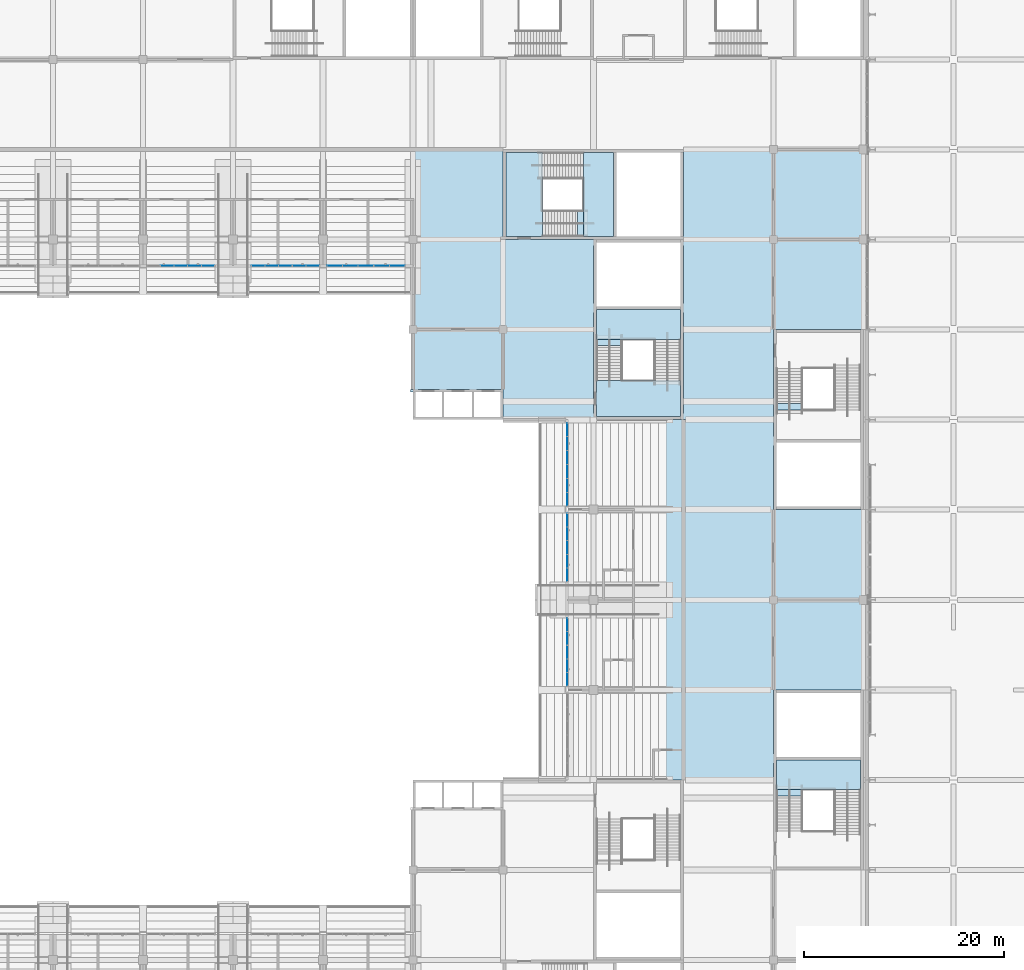
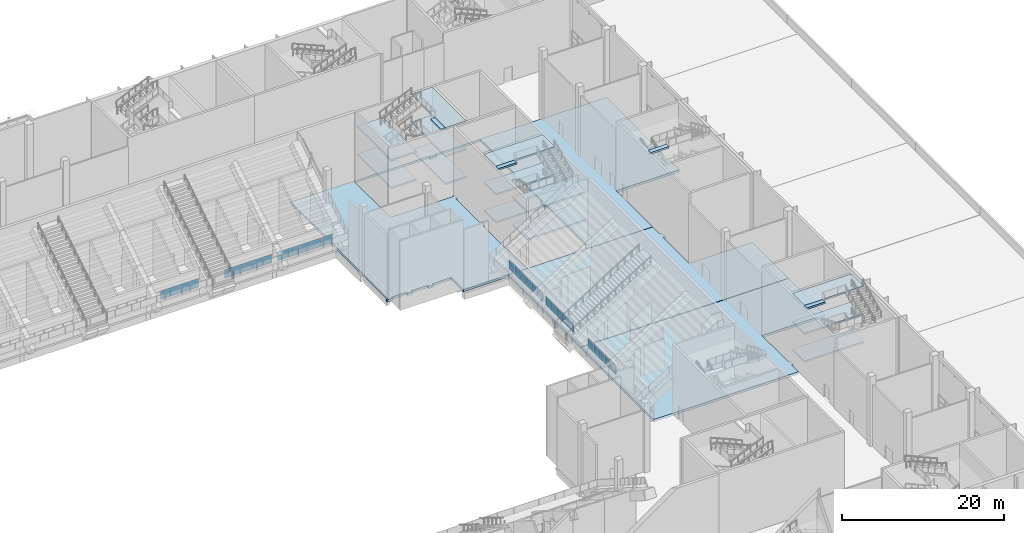
# One storey, part 75 of 182: 30 plates, 20 slabs, 10 elements without a shape of their own.
"""IFC4 building model written with IfcOpenShell, lengths in metres."""

from ifc_helpers import new_model, si_unit, direction, frame, origin, origin_2d, place, context, subcontext, project, spatial, polyline, rectangle, outline, extrude, material, layer, layer_set, type_object, element, aggregate, save


model = new_model("IFC4")

# Units and contexts
model_context = context("Model", 3, precision=1e-05, world=origin(), true_north=direction((0.0, 1.0)))
body_context = subcontext(model_context, "Body", "Model", "MODEL_VIEW")
ifc_project = project(units=[si_unit("LENGTHUNIT", "METRE"), si_unit("AREAUNIT", "SQUARE_METRE"), si_unit("VOLUMEUNIT", "CUBIC_METRE"), si_unit("PLANEANGLEUNIT", "RADIAN"), si_unit("MASSUNIT", "GRAM", prefix="KILO")], contexts=[model_context])

# Site, building, storey
site_placement = place(None, origin())
site = spatial("IfcSite", under=ifc_project, at=site_placement, CompositionType="ELEMENT")
building_placement = place(site_placement, origin())
building = spatial("IfcBuilding", under=site, at=building_placement, Name="Silverbay Arena", CompositionType="ELEMENT")
storey_placement = place(building_placement, frame((0.0, 0.0, 11.5)))
storey = spatial("IfcBuildingStorey", under=building, at=storey_placement, Name="L02", CompositionType="ELEMENT", Elevation=11.5)

# Curtain wall, plates
ifc_material_1 = material(Name="Fire-resisting glass", Category="glass")
curtain_wall_type_1 = type_object("IfcCurtainWallType", Name="Fire-resisting glazed screen EI 120 6850 x 1437", PredefinedType="NOTDEFINED", material=ifc_material_1)
curtain_wall_1_placement = place(storey_placement, origin())
curtain_wall_1 = element("IfcCurtainWall", 1, at=curtain_wall_1_placement, inside=storey, type_object=curtain_wall_type_1, Name="East suite front 2", PredefinedType="NOTDEFINED")
ifc_material_2 = material(Name="Laminated glass", Category="glass")
ifc_layer_1 = layer(ifc_material_2, 0.02392578125)
ifc_layer_set_1 = layer_set([ifc_layer_1], Name="Laminated glass")
plate_type = type_object("IfcPlateType", Name="Glass panel 24", PredefinedType="CURTAIN_PANEL", material=ifc_layer_set_1)
plate_1_placement = place(storey_placement, frame((177.39990234375, 73.050048828125, 1.150146484375), z_axis=(0.0, 0.0, 1.0), x_axis=(0.0, 1.0, 0.0)))
plate_1 = element("IfcPlate", 2, at=plate_1_placement, type_object=plate_type, Name="CW19 panel 1.1", PredefinedType="CURTAIN_PANEL", context=body_context, shape_type="SweptSolid", body=[
    extrude(rectangle(XDim=1.280029296875, YDim=0.02392578125, at=origin_2d()), origin(), (0.0, 0.0, 1.0), 1.3369140625),
])
plate_2_placement = place(storey_placement, frame((177.39990234375, 74.405029296875, 1.150146484375), z_axis=(0.0, 0.0, 1.0), x_axis=(0.0, 1.0, 0.0)))
plate_2 = element("IfcPlate", 3, at=plate_2_placement, type_object=plate_type, Name="CW19 panel 2.1", PredefinedType="CURTAIN_PANEL", context=body_context, shape_type="SweptSolid", body=[
    extrude(rectangle(XDim=1.31005859375, YDim=0.02392578125, at=origin_2d()), origin(), (0.0, 0.0, 1.0), 1.3369140625),
])
plate_3_placement = place(storey_placement, frame((177.39990234375, 75.77490234375, 1.150146484375), z_axis=(0.0, 0.0, 1.0), x_axis=(0.0, 1.0, 0.0)))
plate_3 = element("IfcPlate", 4, at=plate_3_placement, type_object=plate_type, Name="CW19 panel 3.1", PredefinedType="CURTAIN_PANEL", context=body_context, shape_type="SweptSolid", body=[
    extrude(rectangle(XDim=1.31005859375, YDim=0.02392578125, at=origin_2d()), origin(), (0.0, 0.0, 1.0), 1.3369140625),
])
plate_4_placement = place(storey_placement, frame((177.39990234375, 77.14501953125, 1.150146484375), z_axis=(0.0, 0.0, 1.0), x_axis=(0.0, 1.0, 0.0)))
plate_4 = element("IfcPlate", 5, at=plate_4_placement, type_object=plate_type, Name="CW19 panel 4.1", PredefinedType="CURTAIN_PANEL", context=body_context, shape_type="SweptSolid", body=[
    extrude(rectangle(XDim=1.31005859375, YDim=0.02392578125, at=origin_2d()), origin(), (0.0, 0.0, 1.0), 1.3369140625),
])
plate_5_placement = place(storey_placement, frame((177.39990234375, 78.5, 1.150146484375), z_axis=(0.0, 0.0, 1.0), x_axis=(0.0, 1.0, 0.0)))
plate_5 = element("IfcPlate", 6, at=plate_5_placement, type_object=plate_type, Name="CW19 panel 5.1", PredefinedType="CURTAIN_PANEL", context=body_context, shape_type="SweptSolid", body=[
    extrude(rectangle(XDim=1.280029296875, YDim=0.02392578125, at=origin_2d()), origin(), (0.0, 0.0, 1.0), 1.3369140625),
])
aggregate(curtain_wall_1, [plate_1, plate_2, plate_3, plate_4, plate_5])

curtain_wall_2_placement = place(storey_placement, origin())
curtain_wall_2 = element("IfcCurtainWall", 7, at=curtain_wall_2_placement, inside=storey, type_object=curtain_wall_type_1, Name="East suite front 3", PredefinedType="NOTDEFINED")
plate_6_placement = place(storey_placement, frame((177.39990234375, 83.5, 1.150146484375), z_axis=(0.0, 0.0, 1.0), x_axis=(0.0, 1.0, 0.0)))
plate_6 = element("IfcPlate", 8, at=plate_6_placement, type_object=plate_type, Name="CW19 panel 1.1", PredefinedType="CURTAIN_PANEL", context=body_context, shape_type="SweptSolid", body=[
    extrude(rectangle(XDim=1.280029296875, YDim=0.02392578125, at=origin_2d()), origin(), (0.0, 0.0, 1.0), 1.3369140625),
])
plate_7_placement = place(storey_placement, frame((177.39990234375, 84.85498046875, 1.150146484375), z_axis=(0.0, 0.0, 1.0), x_axis=(0.0, 1.0, 0.0)))
plate_7 = element("IfcPlate", 9, at=plate_7_placement, type_object=plate_type, Name="CW19 panel 2.1", PredefinedType="CURTAIN_PANEL", context=body_context, shape_type="SweptSolid", body=[
    extrude(rectangle(XDim=1.31005859375, YDim=0.02392578125, at=origin_2d()), origin(), (0.0, 0.0, 1.0), 1.3369140625),
])
plate_8_placement = place(storey_placement, frame((177.39990234375, 86.22509765625, 1.150146484375), z_axis=(0.0, 0.0, 1.0), x_axis=(0.0, 1.0, 0.0)))
plate_8 = element("IfcPlate", 10, at=plate_8_placement, type_object=plate_type, Name="CW19 panel 3.1", PredefinedType="CURTAIN_PANEL", context=body_context, shape_type="SweptSolid", body=[
    extrude(rectangle(XDim=1.31005859375, YDim=0.02392578125, at=origin_2d()), origin(), (0.0, 0.0, 1.0), 1.3369140625),
])
plate_9_placement = place(storey_placement, frame((177.39990234375, 87.594970703125, 1.150146484375), z_axis=(0.0, 0.0, 1.0), x_axis=(0.0, 1.0, 0.0)))
plate_9 = element("IfcPlate", 11, at=plate_9_placement, type_object=plate_type, Name="CW19 panel 4.1", PredefinedType="CURTAIN_PANEL", context=body_context, shape_type="SweptSolid", body=[
    extrude(rectangle(XDim=1.31005859375, YDim=0.02392578125, at=origin_2d()), origin(), (0.0, 0.0, 1.0), 1.3369140625),
])
plate_10_placement = place(storey_placement, frame((177.39990234375, 88.949951171875, 1.150146484375), z_axis=(0.0, 0.0, 1.0), x_axis=(0.0, 1.0, 0.0)))
plate_10 = element("IfcPlate", 12, at=plate_10_placement, type_object=plate_type, Name="CW19 panel 5.1", PredefinedType="CURTAIN_PANEL", context=body_context, shape_type="SweptSolid", body=[
    extrude(rectangle(XDim=1.280029296875, YDim=0.02392578125, at=origin_2d()), origin(), (0.0, 0.0, 1.0), 1.3369140625),
])
aggregate(curtain_wall_2, [plate_6, plate_7, plate_8, plate_9, plate_10])

ifc_material_3 = material(Name="Fire-resisting glass", Category="glass")
curtain_wall_type_2 = type_object("IfcCurtainWallType", Name="Fire-resisting glazed screen EI 120 8350 x 1437", PredefinedType="NOTDEFINED", material=ifc_material_3)
curtain_wall_3_placement = place(storey_placement, origin())
curtain_wall_3 = element("IfcCurtainWall", 13, at=curtain_wall_3_placement, inside=storey, type_object=curtain_wall_type_2, Name="East suite front 4", PredefinedType="NOTDEFINED")
plate_11_placement = place(storey_placement, frame((177.39990234375, 91.060791015625, 1.150146484375), z_axis=(0.0, 0.0, 1.0), x_axis=(0.0, 1.0, 0.0)))
plate_11 = element("IfcPlate", 14, at=plate_11_placement, type_object=plate_type, Name="CW20 panel 1.1", PredefinedType="CURTAIN_PANEL", context=body_context, shape_type="SweptSolid", body=[
    extrude(rectangle(XDim=1.3017578125, YDim=0.02392578125, at=origin_2d()), origin(), (0.0, 0.0, 1.0), 1.3369140625),
])
plate_12_placement = place(storey_placement, frame((177.39990234375, 92.4375, 1.150146484375), z_axis=(0.0, 0.0, 1.0), x_axis=(0.0, 1.0, 0.0)))
plate_12 = element("IfcPlate", 15, at=plate_12_placement, type_object=plate_type, Name="CW20 panel 2.1", PredefinedType="CURTAIN_PANEL", context=body_context, shape_type="SweptSolid", body=[
    extrude(rectangle(XDim=1.331787109375, YDim=0.02392578125, at=origin_2d()), origin(), (0.0, 0.0, 1.0), 1.3369140625),
])
plate_13_placement = place(storey_placement, frame((177.39990234375, 93.8291015625, 1.150146484375), z_axis=(0.0, 0.0, 1.0), x_axis=(0.0, 1.0, 0.0)))
plate_13 = element("IfcPlate", 16, at=plate_13_placement, type_object=plate_type, Name="CW20 panel 3.1", PredefinedType="CURTAIN_PANEL", context=body_context, shape_type="SweptSolid", body=[
    extrude(rectangle(XDim=1.331787109375, YDim=0.02392578125, at=origin_2d()), origin(), (0.0, 0.0, 1.0), 1.3369140625),
])
plate_14_placement = place(storey_placement, frame((177.39990234375, 95.220947265625, 1.150146484375), z_axis=(0.0, 0.0, 1.0), x_axis=(0.0, 1.0, 0.0)))
plate_14 = element("IfcPlate", 17, at=plate_14_placement, type_object=plate_type, Name="CW20 panel 4.1", PredefinedType="CURTAIN_PANEL", context=body_context, shape_type="SweptSolid", body=[
    extrude(rectangle(XDim=1.331787109375, YDim=0.02392578125, at=origin_2d()), origin(), (0.0, 0.0, 1.0), 1.3369140625),
])
plate_15_placement = place(storey_placement, frame((177.39990234375, 96.612548828125, 1.150146484375), z_axis=(0.0, 0.0, 1.0), x_axis=(0.0, 1.0, 0.0)))
plate_15 = element("IfcPlate", 18, at=plate_15_placement, type_object=plate_type, Name="CW20 panel 5.1", PredefinedType="CURTAIN_PANEL", context=body_context, shape_type="SweptSolid", body=[
    extrude(rectangle(XDim=1.331787109375, YDim=0.02392578125, at=origin_2d()), origin(), (0.0, 0.0, 1.0), 1.3369140625),
])
plate_16_placement = place(storey_placement, frame((177.39990234375, 97.9892578125, 1.150146484375), z_axis=(0.0, 0.0, 1.0), x_axis=(0.0, 1.0, 0.0)))
plate_16 = element("IfcPlate", 19, at=plate_16_placement, type_object=plate_type, Name="CW20 panel 6.1", PredefinedType="CURTAIN_PANEL", context=body_context, shape_type="SweptSolid", body=[
    extrude(rectangle(XDim=1.3017578125, YDim=0.02392578125, at=origin_2d()), origin(), (0.0, 0.0, 1.0), 1.3369140625),
])
aggregate(curtain_wall_3, [plate_11, plate_12, plate_13, plate_14, plate_15, plate_16])

curtain_wall_4_placement = place(storey_placement, origin())
curtain_wall_4 = element("IfcCurtainWall", 20, at=curtain_wall_4_placement, inside=storey, type_object=curtain_wall_type_1, Name="North suite front 5", PredefinedType="NOTDEFINED")
plate_17_placement = place(storey_placement, frame((137.405029296875, 114.39990234375, 1.150146484375), z_axis=(0.0, 0.0, 1.0), x_axis=(1.0, 0.0, 0.0)))
plate_17 = element("IfcPlate", 21, at=plate_17_placement, type_object=plate_type, Name="CW19 panel 2.1", PredefinedType="CURTAIN_PANEL", context=body_context, shape_type="SweptSolid", body=[
    extrude(rectangle(XDim=1.31005859375, YDim=0.02392578125, at=origin_2d()), origin(), (0.0, 0.0, 1.0), 1.3369140625),
])
plate_18_placement = place(storey_placement, frame((138.77490234375, 114.39990234375, 1.150146484375), z_axis=(0.0, 0.0, 1.0), x_axis=(1.0, 0.0, 0.0)))
plate_18 = element("IfcPlate", 22, at=plate_18_placement, type_object=plate_type, Name="CW19 panel 3.1", PredefinedType="CURTAIN_PANEL", context=body_context, shape_type="SweptSolid", body=[
    extrude(rectangle(XDim=1.31005859375, YDim=0.02392578125, at=origin_2d()), origin(), (0.0, 0.0, 1.0), 1.3369140625),
])
plate_19_placement = place(storey_placement, frame((140.14501953125, 114.39990234375, 1.150146484375), z_axis=(0.0, 0.0, 1.0), x_axis=(1.0, 0.0, 0.0)))
plate_19 = element("IfcPlate", 23, at=plate_19_placement, type_object=plate_type, Name="CW19 panel 4.1", PredefinedType="CURTAIN_PANEL", context=body_context, shape_type="SweptSolid", body=[
    extrude(rectangle(XDim=1.31005859375, YDim=0.02392578125, at=origin_2d()), origin(), (0.0, 0.0, 1.0), 1.3369140625),
])
plate_20_placement = place(storey_placement, frame((141.5, 114.39990234375, 1.150146484375), z_axis=(0.0, 0.0, 1.0), x_axis=(1.0, 0.0, 0.0)))
plate_20 = element("IfcPlate", 24, at=plate_20_placement, type_object=plate_type, Name="CW19 panel 5.1", PredefinedType="CURTAIN_PANEL", context=body_context, shape_type="SweptSolid", body=[
    extrude(rectangle(XDim=1.280029296875, YDim=0.02392578125, at=origin_2d()), origin(), (0.0, 0.0, 1.0), 1.3369140625),
])
aggregate(curtain_wall_4, [plate_17, plate_18, plate_19, plate_20])

curtain_wall_5_placement = place(storey_placement, origin())
curtain_wall_5 = element("IfcCurtainWall", 25, at=curtain_wall_5_placement, inside=storey, type_object=curtain_wall_type_1, Name="North suite front 6", PredefinedType="NOTDEFINED")
plate_21_placement = place(storey_placement, frame((146.5, 114.39990234375, 1.150146484375), z_axis=(0.0, 0.0, 1.0), x_axis=(1.0, 0.0, 0.0)))
plate_21 = element("IfcPlate", 26, at=plate_21_placement, type_object=plate_type, Name="CW19 panel 1.1", PredefinedType="CURTAIN_PANEL", context=body_context, shape_type="SweptSolid", body=[
    extrude(rectangle(XDim=1.280029296875, YDim=0.02392578125, at=origin_2d()), origin(), (0.0, 0.0, 1.0), 1.3369140625),
])
plate_22_placement = place(storey_placement, frame((147.85498046875, 114.39990234375, 1.150146484375), z_axis=(0.0, 0.0, 1.0), x_axis=(1.0, 0.0, 0.0)))
plate_22 = element("IfcPlate", 27, at=plate_22_placement, type_object=plate_type, Name="CW19 panel 2.1", PredefinedType="CURTAIN_PANEL", context=body_context, shape_type="SweptSolid", body=[
    extrude(rectangle(XDim=1.31005859375, YDim=0.02392578125, at=origin_2d()), origin(), (0.0, 0.0, 1.0), 1.3369140625),
])
plate_23_placement = place(storey_placement, frame((149.22509765625, 114.39990234375, 1.150146484375), z_axis=(0.0, 0.0, 1.0), x_axis=(1.0, 0.0, 0.0)))
plate_23 = element("IfcPlate", 28, at=plate_23_placement, type_object=plate_type, Name="CW19 panel 3.1", PredefinedType="CURTAIN_PANEL", context=body_context, shape_type="SweptSolid", body=[
    extrude(rectangle(XDim=1.31005859375, YDim=0.02392578125, at=origin_2d()), origin(), (0.0, 0.0, 1.0), 1.3369140625),
])
plate_24_placement = place(storey_placement, frame((150.594970703125, 114.39990234375, 1.150146484375), z_axis=(0.0, 0.0, 1.0), x_axis=(1.0, 0.0, 0.0)))
plate_24 = element("IfcPlate", 29, at=plate_24_placement, type_object=plate_type, Name="CW19 panel 4.1", PredefinedType="CURTAIN_PANEL", context=body_context, shape_type="SweptSolid", body=[
    extrude(rectangle(XDim=1.31005859375, YDim=0.02392578125, at=origin_2d()), origin(), (0.0, 0.0, 1.0), 1.3369140625),
])
plate_25_placement = place(storey_placement, frame((151.949951171875, 114.39990234375, 1.150146484375), z_axis=(0.0, 0.0, 1.0), x_axis=(1.0, 0.0, 0.0)))
plate_25 = element("IfcPlate", 30, at=plate_25_placement, type_object=plate_type, Name="CW19 panel 5.1", PredefinedType="CURTAIN_PANEL", context=body_context, shape_type="SweptSolid", body=[
    extrude(rectangle(XDim=1.280029296875, YDim=0.02392578125, at=origin_2d()), origin(), (0.0, 0.0, 1.0), 1.3369140625),
])
aggregate(curtain_wall_5, [plate_21, plate_22, plate_23, plate_24, plate_25])

ifc_material_4 = material(Name="Fire-resisting glass", Category="glass")
curtain_wall_type_3 = type_object("IfcCurtainWallType", Name="Fire-resisting glazed screen EI 120 7850 x 1437", PredefinedType="NOTDEFINED", material=ifc_material_4)
curtain_wall_6_placement = place(storey_placement, origin())
curtain_wall_6 = element("IfcCurtainWall", 31, at=curtain_wall_6_placement, inside=storey, type_object=curtain_wall_type_3, Name="North suite front 7", PredefinedType="NOTDEFINED")
plate_26_placement = place(storey_placement, frame((154.14990234375, 114.39990234375, 1.150146484375), z_axis=(0.0, 0.0, 1.0), x_axis=(1.0, 0.0, 0.0)))
plate_26 = element("IfcPlate", 32, at=plate_26_placement, type_object=plate_type, Name="CW17 panel 1.1", PredefinedType="CURTAIN_PANEL", context=body_context, shape_type="SweptSolid", body=[
    extrude(rectangle(XDim=1.47998046875, YDim=0.02392578125, at=origin_2d()), origin(), (0.0, 0.0, 1.0), 1.3369140625),
])
plate_27_placement = place(storey_placement, frame((155.705078125, 114.39990234375, 1.150146484375), z_axis=(0.0, 0.0, 1.0), x_axis=(1.0, 0.0, 0.0)))
plate_27 = element("IfcPlate", 33, at=plate_27_placement, type_object=plate_type, Name="CW17 panel 2.1", PredefinedType="CURTAIN_PANEL", context=body_context, shape_type="SweptSolid", body=[
    extrude(rectangle(XDim=1.510009765625, YDim=0.02392578125, at=origin_2d()), origin(), (0.0, 0.0, 1.0), 1.3369140625),
])
plate_28_placement = place(storey_placement, frame((157.27490234375, 114.39990234375, 1.150146484375), z_axis=(0.0, 0.0, 1.0), x_axis=(1.0, 0.0, 0.0)))
plate_28 = element("IfcPlate", 34, at=plate_28_placement, type_object=plate_type, Name="CW17 panel 3.1", PredefinedType="CURTAIN_PANEL", context=body_context, shape_type="SweptSolid", body=[
    extrude(rectangle(XDim=1.510009765625, YDim=0.02392578125, at=origin_2d()), origin(), (0.0, 0.0, 1.0), 1.3369140625),
])
plate_29_placement = place(storey_placement, frame((158.844970703125, 114.39990234375, 1.150146484375), z_axis=(0.0, 0.0, 1.0), x_axis=(1.0, 0.0, 0.0)))
plate_29 = element("IfcPlate", 35, at=plate_29_placement, type_object=plate_type, Name="CW17 panel 4.1", PredefinedType="CURTAIN_PANEL", context=body_context, shape_type="SweptSolid", body=[
    extrude(rectangle(XDim=1.510009765625, YDim=0.02392578125, at=origin_2d()), origin(), (0.0, 0.0, 1.0), 1.3369140625),
])
plate_30_placement = place(storey_placement, frame((160.39990234375, 114.39990234375, 1.150146484375), z_axis=(0.0, 0.0, 1.0), x_axis=(1.0, 0.0, 0.0)))
plate_30 = element("IfcPlate", 36, at=plate_30_placement, type_object=plate_type, Name="CW17 panel 5.1", PredefinedType="CURTAIN_PANEL", context=body_context, shape_type="SweptSolid", body=[
    extrude(rectangle(XDim=1.47998046875, YDim=0.02392578125, at=origin_2d()), origin(), (0.0, 0.0, 1.0), 1.3369140625),
])
aggregate(curtain_wall_6, [plate_26, plate_27, plate_28, plate_29, plate_30])

# Slabs
ifc_material_5 = material(Name="Concrete Grade C45", Category="concrete")
ifc_layer_2 = layer(ifc_material_5, 0.35009765625)
ifc_layer_set_2 = layer_set([ifc_layer_2], Name="Concrete Grade C45")
slab_type_1 = type_object("IfcSlabType", Name="RC floor slab 350", PredefinedType="FLOOR", material=ifc_layer_set_2)
slab_1_placement = place(storey_placement, frame((0.0, 0.0, -0.35009765625)))
element("IfcSlab", 37, at=slab_1_placement, inside=storey, type_object=slab_type_1, Name="Floor slab L02 unit 8", PredefinedType="FLOOR", context=body_context, shape_type="SweptSolid", body=[
    extrude(outline(polyline([(198.300048828125, 64.699951171875), (198.0, 64.699951171875), (198.0, 63.0), (177.39990234375, 63.0), (177.39990234375, 81.0), (207.0, 81.0), (207.0, 72.0), (198.0, 72.0), (198.0, 65.60009765625), (198.300048828125, 65.60009765625), (198.300048828125, 64.699951171875)])), origin(), (0.0, 0.0, 1.0), 0.35009765625),
])
slab_2_placement = place(storey_placement, frame((0.0, 0.0, -0.35009765625)))
element("IfcSlab", 38, at=slab_2_placement, inside=storey, type_object=slab_type_1, Name="Floor slab L02 unit 8 B", PredefinedType="FLOOR", context=body_context, shape_type="SweptSolid", body=[
    extrude(outline(polyline([(177.39990234375, 99.0), (198.0, 99.0), (198.0, 97.300048828125), (198.300048828125, 97.300048828125), (198.300048828125, 96.39990234375), (198.0, 96.39990234375), (198.0, 90.0), (207.0, 90.0), (207.0, 81.050048828125), (177.39990234375, 81.050048828125), (177.39990234375, 99.0)])), origin(), (0.0, 0.0, 1.0), 0.35009765625),
])
slab_3_placement = place(storey_placement, frame((0.0, 0.0, -0.35009765625)))
element("IfcSlab", 39, at=slab_3_placement, inside=storey, type_object=slab_type_1, Name="Floor slab L02 unit 11", PredefinedType="FLOOR", context=body_context, shape_type="SweptSolid", body=[
    extrude(outline(polyline([(180.300048828125, 99.0), (171.0, 99.0), (171.0, 102.0), (168.35009765625, 102.0), (168.35009765625, 101.75), (167.64990234375, 101.75), (167.64990234375, 102.0), (165.35009765625, 102.0), (165.35009765625, 101.75), (164.64990234375, 101.75), (164.64990234375, 102.0), (162.5, 102.0), (162.5, 101.75), (161.75, 101.75), (161.75, 102.0), (162.0, 102.0), (162.0, 126.02490234375), (207.0, 126.02490234375), (207.0, 108.0), (198.0, 108.0), (198.0, 99.0), (188.699951171875, 99.0), (188.699951171875, 99.60009765625), (189.0, 99.60009765625), (189.0, 109.699951171875), (188.699951171875, 109.699951171875), (188.699951171875, 110.60009765625), (189.0, 110.60009765625), (189.0, 116.39990234375), (188.699951171875, 116.39990234375), (188.699951171875, 117.300048828125), (189.0, 117.300048828125), (189.0, 126.0), (182.60009765625, 126.0), (182.60009765625, 125.699951171875), (181.699951171875, 125.699951171875), (181.699951171875, 126.0), (171.0, 126.0), (171.0, 117.0), (180.0, 117.0), (180.0, 117.300048828125), (180.300048828125, 117.300048828125), (180.300048828125, 116.39990234375), (180.0, 116.39990234375), (180.0, 110.60009765625), (180.300048828125, 110.60009765625), (180.300048828125, 109.699951171875), (180.0, 109.699951171875), (180.0, 99.60009765625), (180.300048828125, 99.60009765625), (180.300048828125, 99.0)])), origin(), (0.0, 0.0, 1.0), 0.35009765625),
])

# Stair, slab
ifc_material_6 = material(Name="Concrete Grade C45", Category="concrete")
stair_type = type_object("IfcStairType", Name="Stair 2600 wide 80 risers 131.2 x 300", PredefinedType="HALF_TURN_STAIR", material=ifc_material_6)
stair_1_placement = place(storey_placement, origin())
stair_1 = element("IfcStair", 40, at=stair_1_placement, inside=storey, type_object=stair_type, Name="Stair ST-E1 L02 to L03", PredefinedType="HALF_TURN_STAIR")
ifc_material_7 = material(Name="Concrete Grade C45", Category="concrete")
ifc_layer_3 = layer(ifc_material_7, 0.25)
ifc_layer_set_3 = layer_set([ifc_layer_3], Name="Concrete Grade C45")
slab_type_2 = type_object("IfcSlabType", Name="Stair arrival platform RC 250", PredefinedType="FLOOR", material=ifc_layer_set_3)
slab_4_placement = place(storey_placement, frame((0.0, 0.0, 10.25)))
slab_4 = element("IfcSlab", 41, at=slab_4_placement, type_object=slab_type_2, Name="Stair ST-E1 L02 to L03 arrival platform 6", PredefinedType="FLOOR", context=body_context, shape_type="SweptSolid", body=[
    extrude(outline(polyline([(198.300048828125, 61.39990234375), (198.300048828125, 62.02587890625), (200.89990234375, 62.02587890625), (200.89990234375, 61.39990234375), (198.300048828125, 61.39990234375)])), origin(), (0.0, 0.0, 1.0), 0.25),
])

stair_2_placement = place(storey_placement, origin())
stair_2 = element("IfcStair", 42, at=stair_2_placement, inside=storey, type_object=stair_type, Name="Stair ST-E2 L02 to L03", PredefinedType="HALF_TURN_STAIR")
slab_5_placement = place(storey_placement, frame((0.0, 0.0, 10.25)))
slab_5 = element("IfcSlab", 43, at=slab_5_placement, type_object=slab_type_2, Name="Stair ST-E2 L02 to L03 arrival platform 6", PredefinedType="FLOOR", context=body_context, shape_type="SweptSolid", body=[
    extrude(outline(polyline([(198.300048828125, 100.60009765625), (198.300048828125, 99.97412109375), (200.89990234375, 99.97412109375), (200.89990234375, 100.60009765625), (198.300048828125, 100.60009765625)])), origin(), (0.0, 0.0, 1.0), 0.25),
])
aggregate(stair_2, [slab_5])

stair_3_placement = place(storey_placement, origin())
stair_3 = element("IfcStair", 44, at=stair_3_placement, inside=storey, type_object=stair_type, Name="Stair ST-NE1 L02 to L03", PredefinedType="HALF_TURN_STAIR")
slab_6_placement = place(storey_placement, frame((0.0, 0.0, 10.25)))
slab_6 = element("IfcSlab", 45, at=slab_6_placement, type_object=slab_type_2, Name="Stair ST-NE1 L02 to L03 arrival platform 6", PredefinedType="FLOOR", context=body_context, shape_type="SweptSolid", body=[
    extrude(outline(polyline([(178.39990234375, 117.300048828125), (179.02587890625, 117.300048828125), (179.02587890625, 119.89990234375), (178.39990234375, 119.89990234375), (178.39990234375, 117.300048828125)])), origin(), (0.0, 0.0, 1.0), 0.25),
])

stair_4_placement = place(storey_placement, origin())
stair_4 = element("IfcStair", 46, at=stair_4_placement, inside=storey, type_object=stair_type, Name="Stair ST-NE2 L02 to L03", PredefinedType="HALF_TURN_STAIR")
slab_7_placement = place(storey_placement, frame((0.0, 0.0, 10.25)))
slab_7 = element("IfcSlab", 47, at=slab_7_placement, type_object=slab_type_2, Name="Stair ST-NE2 L02 to L03 arrival platform 6", PredefinedType="FLOOR", context=body_context, shape_type="SweptSolid", body=[
    extrude(outline(polyline([(180.300048828125, 106.39990234375), (180.300048828125, 107.02587890625), (182.89990234375, 107.02587890625), (182.89990234375, 106.39990234375), (180.300048828125, 106.39990234375)])), origin(), (0.0, 0.0, 1.0), 0.25),
])

# Slab
ifc_material_8 = material(Name="Concrete Grade C45", Category="concrete")
ifc_layer_4 = layer(ifc_material_8, 0.25)
ifc_layer_set_4 = layer_set([ifc_layer_4], Name="Concrete Grade C45")
slab_type_3 = type_object("IfcSlabType", Name="Stair landing RC 250", PredefinedType="LANDING", material=ifc_layer_set_4)
slab_8_placement = place(storey_placement, frame((0.0, 0.0, 1.85009765625)))
slab_8 = element("IfcSlab", 48, at=slab_8_placement, type_object=slab_type_3, Name="Stair ST-E1 L02 to L03 landing 1", PredefinedType="LANDING", context=body_context, shape_type="SweptSolid", body=[
    extrude(outline(polyline([(198.300048828125, 62.02587890625), (198.300048828125, 65.0), (206.699951171875, 65.0), (206.699951171875, 62.02587890625), (198.300048828125, 62.02587890625)])), origin(), (0.0, 0.0, 1.0), 0.25),
])

slab_9_placement = place(storey_placement, frame((0.0, 0.0, 6.050048828125)))
slab_9 = element("IfcSlab", 49, at=slab_9_placement, type_object=slab_type_3, Name="Stair ST-E1 L02 to L03 landing 3", PredefinedType="LANDING", context=body_context, shape_type="SweptSolid", body=[
    extrude(outline(polyline([(198.300048828125, 62.02587890625), (198.300048828125, 65.0), (206.699951171875, 65.0), (206.699951171875, 62.02587890625), (198.300048828125, 62.02587890625)])), origin(), (0.0, 0.0, 1.0), 0.25),
])

slab_10_placement = place(storey_placement, frame((0.0, 0.0, 10.25)))
slab_10 = element("IfcSlab", 50, at=slab_10_placement, type_object=slab_type_3, Name="Stair ST-E1 L02 to L03 landing 5", PredefinedType="LANDING", context=body_context, shape_type="SweptSolid", body=[
    extrude(outline(polyline([(198.300048828125, 62.02587890625), (198.300048828125, 65.0), (206.699951171875, 65.0), (206.699951171875, 62.02587890625), (198.300048828125, 62.02587890625)])), origin(), (0.0, 0.0, 1.0), 0.25),
])

aggregate(stair_1, [slab_8, slab_9, slab_10, slab_4])

slab_11_placement = place(storey_placement, frame((0.0, 0.0, 1.85009765625)))
slab_11 = element("IfcSlab", 51, at=slab_11_placement, type_object=slab_type_3, Name="Stair ST-NE1 L02 to L03 landing 1", PredefinedType="LANDING", context=body_context, shape_type="SweptSolid", body=[
    extrude(outline(polyline([(179.02587890625, 117.300048828125), (182.0, 117.300048828125), (182.0, 125.699951171875), (179.02587890625, 125.699951171875), (179.02587890625, 117.300048828125)])), origin(), (0.0, 0.0, 1.0), 0.25),
])

slab_12_placement = place(storey_placement, frame((0.0, 0.0, 3.949951171875)))
slab_12 = element("IfcSlab", 52, at=slab_12_placement, type_object=slab_type_3, Name="Stair ST-NE1 L02 to L03 landing 2", PredefinedType="LANDING", context=body_context, shape_type="SweptSolid", body=[
    extrude(outline(polyline([(171.300048828125, 117.300048828125), (174.89990234375, 117.300048828125), (174.89990234375, 125.699951171875), (171.300048828125, 125.699951171875), (171.300048828125, 117.300048828125)])), origin(), (0.0, 0.0, 1.0), 0.25),
])

slab_13_placement = place(storey_placement, frame((0.0, 0.0, 6.050048828125)))
slab_13 = element("IfcSlab", 53, at=slab_13_placement, type_object=slab_type_3, Name="Stair ST-NE1 L02 to L03 landing 3", PredefinedType="LANDING", context=body_context, shape_type="SweptSolid", body=[
    extrude(outline(polyline([(179.02587890625, 117.300048828125), (182.0, 117.300048828125), (182.0, 125.699951171875), (179.02587890625, 125.699951171875), (179.02587890625, 117.300048828125)])), origin(), (0.0, 0.0, 1.0), 0.25),
])

slab_14_placement = place(storey_placement, frame((0.0, 0.0, 8.14990234375)))
slab_14 = element("IfcSlab", 54, at=slab_14_placement, type_object=slab_type_3, Name="Stair ST-NE1 L02 to L03 landing 4", PredefinedType="LANDING", context=body_context, shape_type="SweptSolid", body=[
    extrude(outline(polyline([(171.300048828125, 117.300048828125), (174.89990234375, 117.300048828125), (174.89990234375, 125.699951171875), (171.300048828125, 125.699951171875), (171.300048828125, 117.300048828125)])), origin(), (0.0, 0.0, 1.0), 0.25),
])

slab_15_placement = place(storey_placement, frame((0.0, 0.0, 10.25)))
slab_15 = element("IfcSlab", 55, at=slab_15_placement, type_object=slab_type_3, Name="Stair ST-NE1 L02 to L03 landing 5", PredefinedType="LANDING", context=body_context, shape_type="SweptSolid", body=[
    extrude(outline(polyline([(179.02587890625, 117.300048828125), (182.0, 117.300048828125), (182.0, 125.699951171875), (179.02587890625, 125.699951171875), (179.02587890625, 117.300048828125)])), origin(), (0.0, 0.0, 1.0), 0.25),
])

aggregate(stair_3, [slab_11, slab_12, slab_13, slab_14, slab_15, slab_6])

slab_16_placement = place(storey_placement, frame((0.0, 0.0, 1.85009765625)))
slab_16 = element("IfcSlab", 56, at=slab_16_placement, type_object=slab_type_3, Name="Stair ST-NE2 L02 to L03 landing 1", PredefinedType="LANDING", context=body_context, shape_type="SweptSolid", body=[
    extrude(outline(polyline([(180.300048828125, 107.02587890625), (180.300048828125, 110.0), (188.699951171875, 110.0), (188.699951171875, 107.02587890625), (180.300048828125, 107.02587890625)])), origin(), (0.0, 0.0, 1.0), 0.25),
])

slab_17_placement = place(storey_placement, frame((0.0, 0.0, 3.949951171875)))
slab_17 = element("IfcSlab", 57, at=slab_17_placement, type_object=slab_type_3, Name="Stair ST-NE2 L02 to L03 landing 2", PredefinedType="LANDING", context=body_context, shape_type="SweptSolid", body=[
    extrude(outline(polyline([(180.300048828125, 99.300048828125), (180.300048828125, 102.89990234375), (188.699951171875, 102.89990234375), (188.699951171875, 99.300048828125), (180.300048828125, 99.300048828125)])), origin(), (0.0, 0.0, 1.0), 0.25),
])

slab_18_placement = place(storey_placement, frame((0.0, 0.0, 6.050048828125)))
slab_18 = element("IfcSlab", 58, at=slab_18_placement, type_object=slab_type_3, Name="Stair ST-NE2 L02 to L03 landing 3", PredefinedType="LANDING", context=body_context, shape_type="SweptSolid", body=[
    extrude(outline(polyline([(180.300048828125, 107.02587890625), (180.300048828125, 110.0), (188.699951171875, 110.0), (188.699951171875, 107.02587890625), (180.300048828125, 107.02587890625)])), origin(), (0.0, 0.0, 1.0), 0.25),
])

slab_19_placement = place(storey_placement, frame((0.0, 0.0, 8.14990234375)))
slab_19 = element("IfcSlab", 59, at=slab_19_placement, type_object=slab_type_3, Name="Stair ST-NE2 L02 to L03 landing 4", PredefinedType="LANDING", context=body_context, shape_type="SweptSolid", body=[
    extrude(outline(polyline([(180.300048828125, 99.300048828125), (180.300048828125, 102.89990234375), (188.699951171875, 102.89990234375), (188.699951171875, 99.300048828125), (180.300048828125, 99.300048828125)])), origin(), (0.0, 0.0, 1.0), 0.25),
])

slab_20_placement = place(storey_placement, frame((0.0, 0.0, 10.25)))
slab_20 = element("IfcSlab", 60, at=slab_20_placement, type_object=slab_type_3, Name="Stair ST-NE2 L02 to L03 landing 5", PredefinedType="LANDING", context=body_context, shape_type="SweptSolid", body=[
    extrude(outline(polyline([(180.300048828125, 107.02587890625), (180.300048828125, 110.0), (188.699951171875, 110.0), (188.699951171875, 107.02587890625), (180.300048828125, 107.02587890625)])), origin(), (0.0, 0.0, 1.0), 0.25),
])

aggregate(stair_4, [slab_16, slab_17, slab_18, slab_19, slab_20, slab_7])

save(model, "model.ifc")
